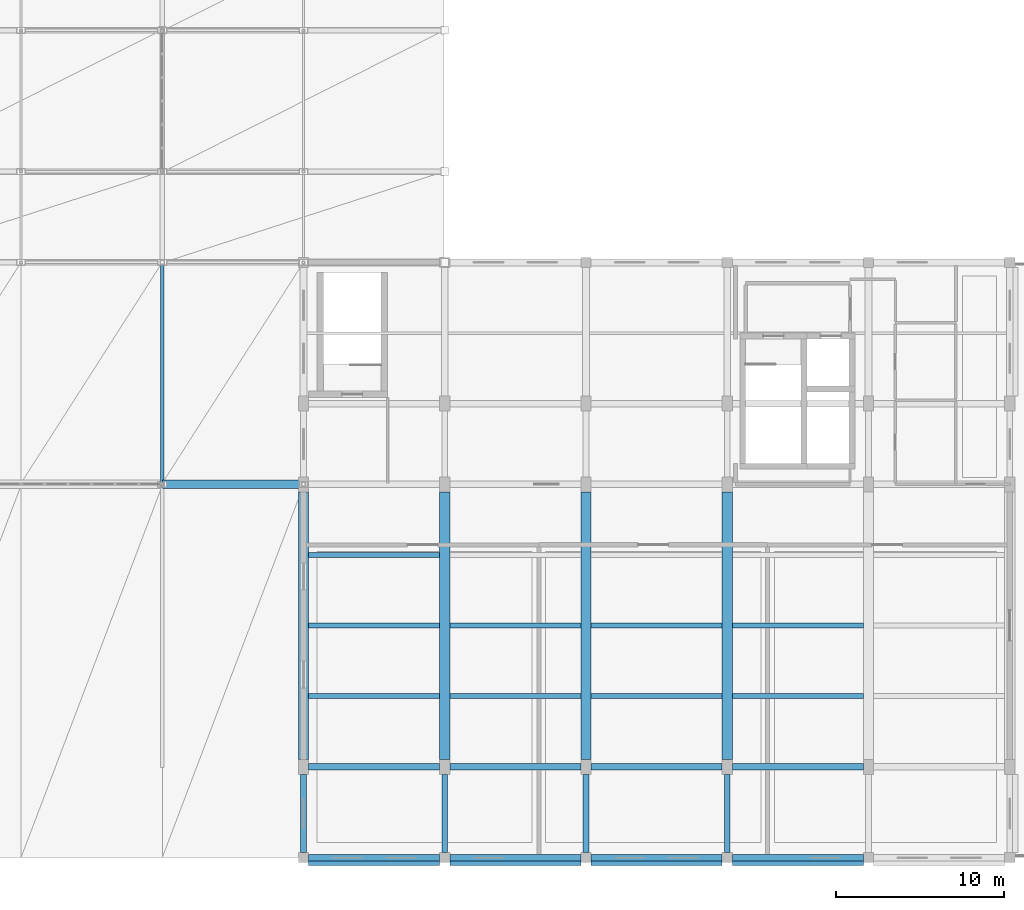
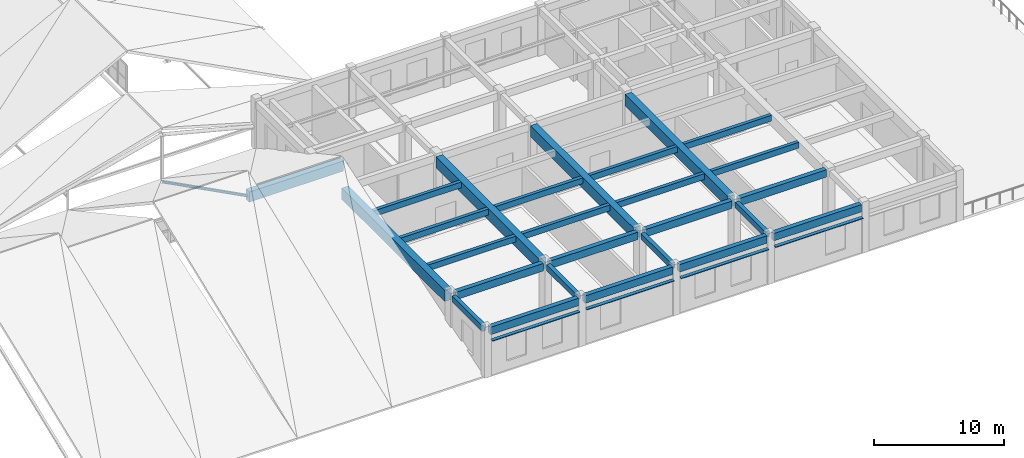
# One storey, part 8 of 76: 26 beams, 5 members.
"""IFC4 building model written with IfcOpenShell, lengths in metres."""

from ifc_helpers import new_model, si_unit, direction, frame, origin, origin_2d, place, context, subcontext, project, spatial, rectangle, hollow_rectangle, i_section, extrude, material, material_profile, profile_set, type_object, element, save


model = new_model("IFC4")

# Units and contexts
model_context = context("Model", 3, precision=1e-05, world=origin(), true_north=direction((0.0, 1.0)))
body_context = subcontext(model_context, "Body", "Model", "MODEL_VIEW")
ifc_project = project(units=[si_unit("LENGTHUNIT", "METRE"), si_unit("AREAUNIT", "SQUARE_METRE"), si_unit("VOLUMEUNIT", "CUBIC_METRE"), si_unit("PLANEANGLEUNIT", "RADIAN"), si_unit("MASSUNIT", "GRAM", prefix="KILO")], contexts=[model_context])

# Site, building, storey
site_placement = place(None, origin())
site = spatial("IfcSite", under=ifc_project, at=site_placement, CompositionType="ELEMENT")
building_placement = place(site_placement, origin())
building = spatial("IfcBuilding", under=site, at=building_placement, Name="Krzemoval Escarpment Law Courts", CompositionType="ELEMENT")
storey_placement = place(building_placement, frame((0.0, 0.0, 20.39990234375)))
storey = spatial("IfcBuildingStorey", under=building, at=storey_placement, Name="L04", CompositionType="ELEMENT", Elevation=20.39990234375)

# Beams
ifc_material_1 = material(Name="Concrete C50/60", Category="concrete")
ifc_material_profile_1 = material_profile(ifc_material_1, rectangle(XDim=0.5, YDim=0.949951171875, at=origin_2d()), Name="FPR 500x950")
ifc_profile_set_1 = profile_set([ifc_material_profile_1], Name="Concrete C50/60")
beam_type_1 = type_object("IfcBeamType", Name="BM-FPR-500x950", PredefinedType="BEAM", material=ifc_profile_set_1)
beam_1_placement = place(storey_placement, frame((25.199951171875, 22.199951171875, 6.400146484375), z_axis=(1.0, 0.0, 0.0), x_axis=(0.0, 1.0, 0.0)))
element("IfcBeam", 1, at=beam_1_placement, inside=storey, type_object=beam_type_1, Name="Folded Roof Ridge Beam RB-2827", PredefinedType="BEAM", context=body_context, shape_type="SweptSolid", body=[
    extrude(rectangle(XDim=0.5, YDim=0.949951171875, at=origin_2d()), origin(), (0.0, 0.0, 1.0), 8.400146484375),
])
ifc_material_2 = material(Name="Concrete C50/60", Category="concrete")
ifc_material_profile_2 = material_profile(ifc_material_2, rectangle(XDim=0.60009765625, YDim=1.050048828125, at=origin_2d()), Name="PTG 600x1050")
ifc_profile_set_2 = profile_set([ifc_material_profile_2], Name="Concrete C50/60")
beam_type_2 = type_object("IfcBeamType", Name="BM-PTG-600x1050", PredefinedType="BEAM", material=ifc_profile_set_2)
for number, where, z_axis, x_axis, name in (
    (2, (33.60009765625, 5.85009765625, 4.025146484375), (0.0, 1.0, 0.0), (-1.0, 0.0, 0.0), "Beam FG-L04-2483"),
    (3, (42.0, 5.85009765625, 4.025146484375), (0.0, 1.0, 0.0), (-1.0, 0.0, 0.0), "Beam FG-L04-2487"),
    (4, (50.39990234375, 5.85009765625, 4.025146484375), (0.0, 1.0, 0.0), (-1.0, 0.0, 0.0), "Beam FG-L04-2491"),
    (5, (58.800048828125, 5.85009765625, 4.025146484375), (0.0, 1.0, 0.0), (-1.0, 0.0, 0.0), "Beam FG-L04-2495"),
):
    element("IfcBeam", number, at=place(storey_placement, frame(where, z_axis=z_axis, x_axis=x_axis)), inside=storey, type_object=beam_type_2, Name=name, PredefinedType="BEAM", context=body_context, shape_type="SweptSolid", body=[
        extrude(rectangle(XDim=0.60009765625, YDim=1.050048828125, at=origin_2d()), origin(), (0.0, 0.0, 1.0), 15.89990234375),
    ])
ifc_material_3 = material(Name="Concrete C40/50", Category="concrete")
ifc_material_profile_3 = material_profile(ifc_material_3, rectangle(XDim=0.35009765625, YDim=0.550048828125, at=origin_2d()), Name="RCB 350x550")
ifc_profile_set_3 = profile_set([ifc_material_profile_3], Name="Concrete C40/50")
beam_type_3 = type_object("IfcBeamType", Name="BM-RC-350x550", PredefinedType="BEAM", material=ifc_profile_set_3)
for number, where, z_axis, x_axis, name in (
    (6, (33.60009765625, 0.300048828125, 4.275146484375), (0.0, 1.0, 0.0), (-1.0, 0.0, 0.0), "Beam FG-L04-2482"),
    (7, (42.0, 0.300048828125, 4.275146484375), (0.0, 1.0, 0.0), (-1.0, 0.0, 0.0), "Beam FG-L04-2486"),
    (8, (50.39990234375, 0.300048828125, 4.275146484375), (0.0, 1.0, 0.0), (-1.0, 0.0, 0.0), "Beam FG-L04-2490"),
    (9, (58.800048828125, 0.300048828125, 4.275146484375), (0.0, 1.0, 0.0), (-1.0, 0.0, 0.0), "Beam FG-L04-2494"),
):
    element("IfcBeam", number, at=place(storey_placement, frame(where, z_axis=z_axis, x_axis=x_axis)), inside=storey, type_object=beam_type_3, Name=name, PredefinedType="BEAM", context=body_context, shape_type="SweptSolid", body=[
        extrude(rectangle(XDim=0.35009765625, YDim=0.550048828125, at=origin_2d()), origin(), (0.0, 0.0, 1.0), 4.64990234375),
    ])
ifc_material_4 = material(Name="Concrete C40/50", Category="concrete")
ifc_material_profile_4 = material_profile(ifc_material_4, rectangle(XDim=0.39990234375, YDim=0.699951171875, at=origin_2d()), Name="RCB 400x700")
ifc_profile_set_4 = profile_set([ifc_material_profile_4], Name="Concrete C40/50")
beam_type_4 = type_object("IfcBeamType", Name="BM-RC-400x700", PredefinedType="BEAM", material=ifc_profile_set_4)
for number, where, z_axis, x_axis, name in (
    (10, (33.89990234375, 0.0, 4.2001953125), (1.0, 0.0, 0.0), (0.0, 1.0, 0.0), "Beam FG-L04-2424"),
    (11, (42.300048828125, 0.0, 4.2001953125), (1.0, 0.0, 0.0), (0.0, 1.0, 0.0), "Beam FG-L04-2425"),
    (12, (50.699951171875, 0.0, 4.2001953125), (1.0, 0.0, 0.0), (0.0, 1.0, 0.0), "Beam FG-L04-2426"),
):
    element("IfcBeam", number, at=place(storey_placement, frame(where, z_axis=z_axis, x_axis=x_axis)), inside=storey, type_object=beam_type_4, Name=name, PredefinedType="BEAM", context=body_context, shape_type="SweptSolid", body=[
        extrude(rectangle(XDim=0.39990234375, YDim=0.699951171875, at=origin_2d()), origin(), (0.0, 0.0, 1.0), 7.800048828125),
    ])
beam_2_placement = place(storey_placement, frame((59.10009765625, 0.0, 4.2001953125), z_axis=(1.0, 0.0, 0.0), x_axis=(0.0, 1.0, 0.0)))
element("IfcBeam", 13, at=beam_2_placement, inside=storey, type_object=beam_type_4, Name="Beam FG-L04-2427", PredefinedType="BEAM", context=body_context, shape_type="SweptSolid", body=[
    extrude(rectangle(XDim=0.39990234375, YDim=0.699951171875, at=origin_2d()), origin(), (0.0, 0.0, 1.0), 7.7998046875),
])
for number, where, z_axis, x_axis, name in (
    (14, (33.89990234375, 5.39990234375, 4.2001953125), (1.0, 0.0, 0.0), (0.0, 1.0, 0.0), "Beam FG-L04-2429"),
    (15, (42.300048828125, 5.39990234375, 4.2001953125), (1.0, 0.0, 0.0), (0.0, 1.0, 0.0), "Beam FG-L04-2430"),
    (16, (50.699951171875, 5.39990234375, 4.2001953125), (1.0, 0.0, 0.0), (0.0, 1.0, 0.0), "Beam FG-L04-2431"),
):
    element("IfcBeam", number, at=place(storey_placement, frame(where, z_axis=z_axis, x_axis=x_axis)), inside=storey, type_object=beam_type_4, Name=name, PredefinedType="BEAM", context=body_context, shape_type="SweptSolid", body=[
        extrude(rectangle(XDim=0.39990234375, YDim=0.699951171875, at=origin_2d()), origin(), (0.0, 0.0, 1.0), 7.800048828125),
    ])
beam_3_placement = place(storey_placement, frame((59.10009765625, 5.39990234375, 4.2001953125), z_axis=(1.0, 0.0, 0.0), x_axis=(0.0, 1.0, 0.0)))
element("IfcBeam", 17, at=beam_3_placement, inside=storey, type_object=beam_type_4, Name="Beam FG-L04-2432", PredefinedType="BEAM", context=body_context, shape_type="SweptSolid", body=[
    extrude(rectangle(XDim=0.39990234375, YDim=0.699951171875, at=origin_2d()), origin(), (0.0, 0.0, 1.0), 7.7998046875),
])
ifc_material_5 = material(Name="Concrete C40/50", Category="concrete")
ifc_material_profile_5 = material_profile(ifc_material_5, rectangle(XDim=0.300048828125, YDim=0.550048828125, at=origin_2d()), Name="RCB 300x550")
ifc_profile_set_5 = profile_set([ifc_material_profile_5], Name="Concrete C40/50")
beam_type_5 = type_object("IfcBeamType", Name="JST-RC-300x550", PredefinedType="JOIST", material=ifc_profile_set_5)
for number, where, z_axis, x_axis, name in (
    (18, (33.89990234375, 9.60009765625, 4.275146484375), (1.0, 0.0, 0.0), (0.0, 1.0, 0.0), "Secondary Joist FJ-L04-2544"),
    (19, (33.89990234375, 13.800048828125, 4.275146484375), (1.0, 0.0, 0.0), (0.0, 1.0, 0.0), "Secondary Joist FJ-L04-2545"),
    (20, (33.89990234375, 18.0, 4.275146484375), (1.0, 0.0, 0.0), (0.0, 1.0, 0.0), "Secondary Joist FJ-L04-2546"),
    (21, (42.300048828125, 9.60009765625, 4.275146484375), (1.0, 0.0, 0.0), (0.0, 1.0, 0.0), "Secondary Joist FJ-L04-2548"),
    (22, (42.300048828125, 13.800048828125, 4.275146484375), (1.0, 0.0, 0.0), (0.0, 1.0, 0.0), "Secondary Joist FJ-L04-2549"),
    (23, (50.699951171875, 9.60009765625, 4.275146484375), (1.0, 0.0, 0.0), (0.0, 1.0, 0.0), "Secondary Joist FJ-L04-2552"),
    (24, (50.699951171875, 13.800048828125, 4.275146484375), (1.0, 0.0, 0.0), (0.0, 1.0, 0.0), "Secondary Joist FJ-L04-2553"),
):
    element("IfcBeam", number, at=place(storey_placement, frame(where, z_axis=z_axis, x_axis=x_axis)), inside=storey, type_object=beam_type_5, Name=name, PredefinedType="JOIST", context=body_context, shape_type="SweptSolid", body=[
        extrude(rectangle(XDim=0.300048828125, YDim=0.550048828125, at=origin_2d()), origin(), (0.0, 0.0, 1.0), 7.800048828125),
    ])
for number, where, z_axis, x_axis, name in (
    (25, (59.10009765625, 9.60009765625, 4.275146484375), (1.0, 0.0, 0.0), (0.0, 1.0, 0.0), "Secondary Joist FJ-L04-2556"),
    (26, (59.10009765625, 13.800048828125, 4.275146484375), (1.0, 0.0, 0.0), (0.0, 1.0, 0.0), "Secondary Joist FJ-L04-2557"),
):
    element("IfcBeam", number, at=place(storey_placement, frame(where, z_axis=z_axis, x_axis=x_axis)), inside=storey, type_object=beam_type_5, Name=name, PredefinedType="JOIST", context=body_context, shape_type="SweptSolid", body=[
        extrude(rectangle(XDim=0.300048828125, YDim=0.550048828125, at=origin_2d()), origin(), (0.0, 0.0, 1.0), 7.7998046875),
    ])

# Members
ifc_material_6 = material(Name="Anodised Aluminium Alloy 6063-T6", Category="aluminium")
ifc_material_profile_6 = material_profile(ifc_material_6, hollow_rectangle(XDim=0.06005859375, YDim=0.320068359375, WallThickness=0.00390625, at=origin_2d()), Name="ALU LVR 60x320")
ifc_profile_set_6 = profile_set([ifc_material_profile_6], Name="Anodised Aluminium Alloy 6063-T6")
member_type_1 = type_object("IfcMemberType", Name="LVR-ALU-320", PredefinedType="USERDEFINED", material=ifc_profile_set_6)
member_1_placement = place(storey_placement, frame((66.89990234375, -0.320068359375, 3.41015625), z_axis=(-1.0, 0.0, 0.0), x_axis=(0.0, 0.0, 1.0)))
element("IfcMember", 27, at=member_1_placement, inside=storey, type_object=member_type_1, Name="Window Sunshade Louvre FLV-L04-0833", ObjectType="SUNSHADE_LOUVRE", PredefinedType="USERDEFINED", context=body_context, shape_type="SweptSolid", body=[
    extrude(hollow_rectangle(XDim=0.06005859375, YDim=0.320068359375, WallThickness=0.00390625, at=origin_2d()), origin(), (0.0, 0.0, 1.0), 7.7998046875),
])
for number, where, z_axis, x_axis, name in (
    (28, (58.5, -0.320068359375, 3.41015625), (-1.0, 0.0, 0.0), (0.0, 0.0, 1.0), "Window Sunshade Louvre FLV-L04-0834"),
    (29, (50.10009765625, -0.320068359375, 3.41015625), (-1.0, 0.0, 0.0), (0.0, 0.0, 1.0), "Window Sunshade Louvre FLV-L04-0835"),
    (30, (41.699951171875, -0.320068359375, 3.41015625), (-1.0, 0.0, 0.0), (0.0, 0.0, 1.0), "Window Sunshade Louvre FLV-L04-0836"),
):
    element("IfcMember", number, at=place(storey_placement, frame(where, z_axis=z_axis, x_axis=x_axis)), inside=storey, type_object=member_type_1, Name=name, ObjectType="SUNSHADE_LOUVRE", PredefinedType="USERDEFINED", context=body_context, shape_type="SweptSolid", body=[
        extrude(hollow_rectangle(XDim=0.06005859375, YDim=0.320068359375, WallThickness=0.00390625, at=origin_2d()), origin(), (0.0, 0.0, 1.0), 7.800048828125),
    ])
ifc_material_7 = material(Name="Steel S355", Category="steel")
ifc_material_profile_7 = material_profile(ifc_material_7, i_section(OverallWidth=0.199951171875, OverallDepth=0.199951171875, WebThickness=0.009033203125, FlangeThickness=0.014892578125, at=origin_2d()), Name="HEB 200")
ifc_profile_set_7 = profile_set([ifc_material_profile_7], Name="Steel S355")
member_type_2 = type_object("IfcMemberType", Name="MBR-COL-HEB200", PredefinedType="COLLAR", material=ifc_profile_set_7)
member_2_placement = place(storey_placement, frame((25.199951171875, 22.199951171875, 6.400146484375), z_axis=(0.0, 0.892254878415, -0.451532094037), x_axis=(-1.0, 0.0, 0.0)))
element("IfcMember", 31, at=member_2_placement, inside=storey, type_object=member_type_2, Name="Plenary Roof Rafter Tie CL-0084", PredefinedType="COLLAR", context=body_context, shape_type="SweptSolid", body=[
    extrude(i_section(OverallWidth=0.199951171875, OverallDepth=0.199951171875, WebThickness=0.009033203125, FlangeThickness=0.014892578125, at=origin_2d()), origin(), (0.0, 0.0, 1.0), 14.7939453125),
])

save(model, "model.ifc")
